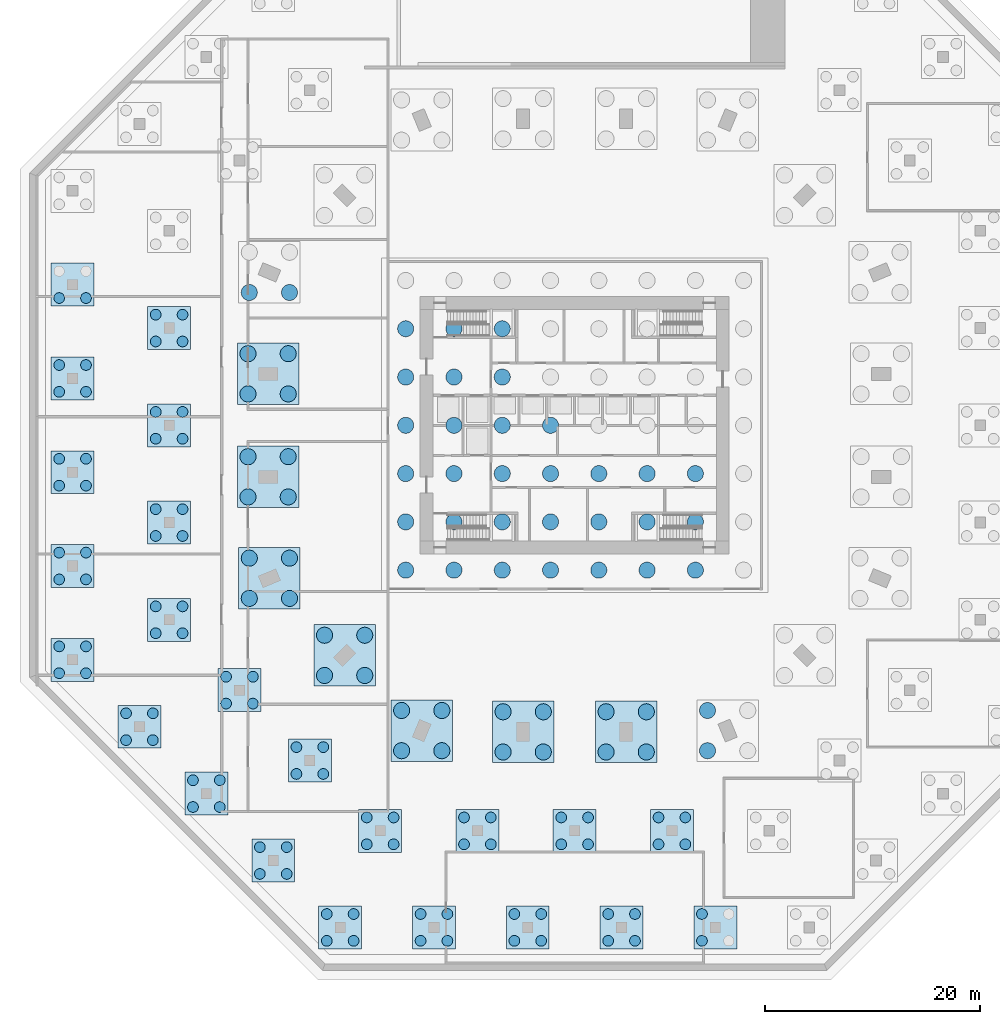
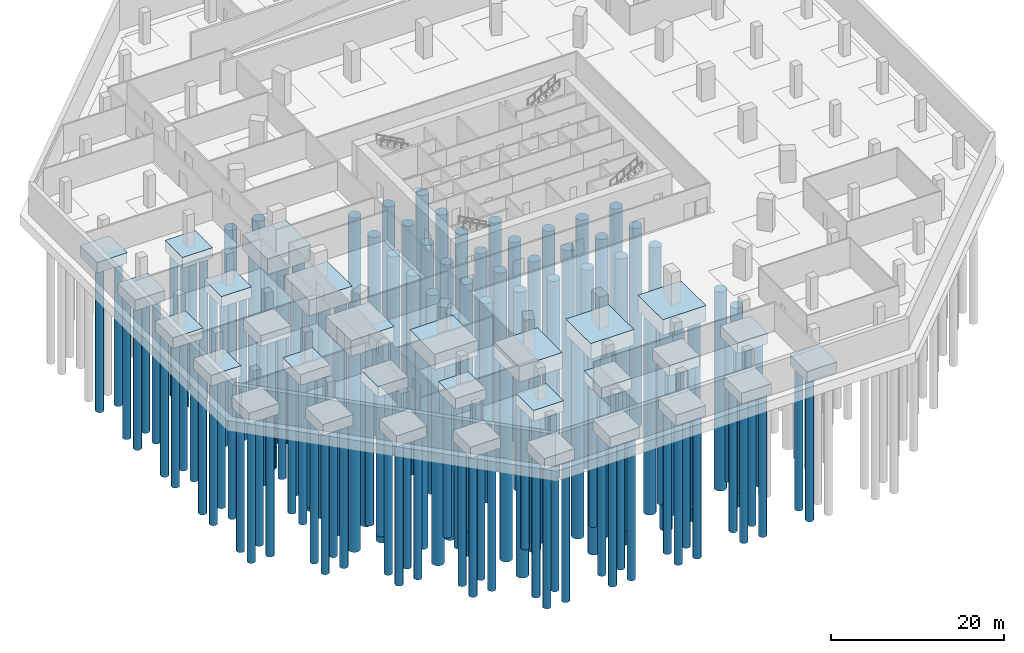
# One storey, part 1 of 14: 151 piles, 30 footings.
"""IFC4 building model written with IfcOpenShell, lengths in metres."""

from ifc_helpers import new_model, si_unit, direction, frame, origin, origin_2d, place, context, subcontext, project, spatial, polyline, circle, outline, extrude, material, layer, layer_set, type_object, element, save


model = new_model("IFC4")

# Units and contexts
model_context = context("Model", 3, precision=1e-05, world=origin(), true_north=direction((0.0, 1.0)))
body_context = subcontext(model_context, "Body", "Model", "MODEL_VIEW")
ifc_project = project(units=[si_unit("LENGTHUNIT", "METRE"), si_unit("AREAUNIT", "SQUARE_METRE"), si_unit("VOLUMEUNIT", "CUBIC_METRE"), si_unit("PLANEANGLEUNIT", "RADIAN"), si_unit("MASSUNIT", "GRAM", prefix="KILO")], contexts=[model_context])

# Site, building, storey
site_placement = place(None, origin())
site = spatial("IfcSite", under=ifc_project, at=site_placement, CompositionType="ELEMENT")
building_placement = place(site_placement, origin())
building = spatial("IfcBuilding", under=site, at=building_placement, Name="Msitu Wima Residences", CompositionType="ELEMENT")
storey_placement = place(building_placement, frame((0.0, 0.0, -9.0)))
storey = spatial("IfcBuildingStorey", under=building, at=storey_placement, Name="B2", CompositionType="ELEMENT", Elevation=-9.0)

# Piles
ifc_material = material(Name="Concrete C40/50", Category="concrete")
pile_type_1 = type_object("IfcPileType", Name="Bored pile PH1 D1500", PredefinedType="BORED", material=ifc_material)
for number, where, z_axis, x_axis, name in (
    (1, (-15.75, -13.5, -3.5), (0.0, 0.0, -1.0), (1.0, 0.0, 0.0), "Raft pile PH1-01"),
    (2, (-11.25, -13.5, -3.5), (0.0, 0.0, -1.0), (1.0, 0.0, 0.0), "Raft pile PH1-02"),
    (3, (-6.75, -13.5, -3.5), (0.0, 0.0, -1.0), (1.0, 0.0, 0.0), "Raft pile PH1-03"),
    (4, (-2.25, -13.5, -3.5), (0.0, 0.0, -1.0), (1.0, 0.0, 0.0), "Raft pile PH1-04"),
    (5, (2.25, -13.5, -3.5), (0.0, 0.0, -1.0), (1.0, 0.0, 0.0), "Raft pile PH1-05"),
    (6, (6.75, -13.5, -3.5), (0.0, 0.0, -1.0), (1.0, 0.0, 0.0), "Raft pile PH1-06"),
    (7, (11.25, -13.5, -3.5), (0.0, 0.0, -1.0), (1.0, 0.0, 0.0), "Raft pile PH1-07"),
    (8, (-15.75, -9.0, -3.5), (0.0, 0.0, -1.0), (1.0, 0.0, 0.0), "Raft pile PH1-09"),
    (9, (-11.25, -9.0, -3.5), (0.0, 0.0, -1.0), (1.0, 0.0, 0.0), "Raft pile PH1-10"),
    (10, (-6.75, -9.0, -3.5), (0.0, 0.0, -1.0), (1.0, 0.0, 0.0), "Raft pile PH1-11"),
    (11, (-2.25, -9.0, -3.5), (0.0, 0.0, -1.0), (1.0, 0.0, 0.0), "Raft pile PH1-12"),
    (12, (2.25, -9.0, -3.5), (0.0, 0.0, -1.0), (1.0, 0.0, 0.0), "Raft pile PH1-13"),
    (13, (6.75, -9.0, -3.5), (0.0, 0.0, -1.0), (1.0, 0.0, 0.0), "Raft pile PH1-14"),
    (14, (11.25, -9.0, -3.5), (0.0, 0.0, -1.0), (1.0, 0.0, 0.0), "Raft pile PH1-15"),
    (15, (-15.75, -4.5, -3.5), (0.0, 0.0, -1.0), (1.0, 0.0, 0.0), "Raft pile PH1-17"),
    (16, (-11.25, -4.5, -3.5), (0.0, 0.0, -1.0), (1.0, 0.0, 0.0), "Raft pile PH1-18"),
    (17, (-6.75, -4.5, -3.5), (0.0, 0.0, -1.0), (1.0, 0.0, 0.0), "Raft pile PH1-19"),
    (18, (-2.25, -4.5, -3.5), (0.0, 0.0, -1.0), (1.0, 0.0, 0.0), "Raft pile PH1-20"),
    (19, (2.25, -4.5, -3.5), (0.0, 0.0, -1.0), (1.0, 0.0, 0.0), "Raft pile PH1-21"),
    (20, (6.75, -4.5, -3.5), (0.0, 0.0, -1.0), (1.0, 0.0, 0.0), "Raft pile PH1-22"),
    (21, (11.25, -4.5, -3.5), (0.0, 0.0, -1.0), (1.0, 0.0, 0.0), "Raft pile PH1-23"),
    (22, (-15.75, 0.0, -3.5), (0.0, 0.0, -1.0), (1.0, 0.0, 0.0), "Raft pile PH1-25"),
    (23, (-11.25, 0.0, -3.5), (0.0, 0.0, -1.0), (1.0, 0.0, 0.0), "Raft pile PH1-26"),
    (24, (-6.75, 0.0, -3.5), (0.0, 0.0, -1.0), (1.0, 0.0, 0.0), "Raft pile PH1-27"),
    (25, (-2.25, 0.0, -3.5), (0.0, 0.0, -1.0), (1.0, 0.0, 0.0), "Raft pile PH1-28"),
    (26, (-15.75, 4.5, -3.5), (0.0, 0.0, -1.0), (1.0, 0.0, 0.0), "Raft pile PH1-33"),
    (27, (-11.25, 4.5, -3.5), (0.0, 0.0, -1.0), (1.0, 0.0, 0.0), "Raft pile PH1-34"),
    (28, (-6.75, 4.5, -3.5), (0.0, 0.0, -1.0), (1.0, 0.0, 0.0), "Raft pile PH1-35"),
    (29, (-15.75, 9.0, -3.5), (0.0, 0.0, -1.0), (1.0, 0.0, 0.0), "Raft pile PH1-41"),
    (30, (-11.25, 9.0, -3.5), (0.0, 0.0, -1.0), (1.0, 0.0, 0.0), "Raft pile PH1-42"),
    (31, (-6.75, 9.0, -3.5), (0.0, 0.0, -1.0), (1.0, 0.0, 0.0), "Raft pile PH1-43"),
    (32, (-6.675048828125, -30.449951171875, -2.199951171875), (0.0, 0.0, -1.0), (1.0, 0.0, 0.0), "Pile PH1-018-1"),
    (33, (-2.925048828125, -30.449951171875, -2.199951171875), (0.0, 0.0, -1.0), (1.0, 0.0, 0.0), "Pile PH1-018-2"),
    (34, (-2.925048828125, -26.699951171875, -2.199951171875), (0.0, 0.0, -1.0), (1.0, 0.0, 0.0), "Pile PH1-018-3"),
    (35, (-6.675048828125, -26.699951171875, -2.199951171875), (0.0, 0.0, -1.0), (1.0, 0.0, 0.0), "Pile PH1-018-4"),
    (36, (2.925048828125, -30.449951171875, -2.199951171875), (0.0, 0.0, -1.0), (1.0, 0.0, 0.0), "Pile PH1-019-1"),
    (37, (6.675048828125, -30.449951171875, -2.199951171875), (0.0, 0.0, -1.0), (1.0, 0.0, 0.0), "Pile PH1-019-2"),
    (38, (6.675048828125, -26.699951171875, -2.199951171875), (0.0, 0.0, -1.0), (1.0, 0.0, 0.0), "Pile PH1-019-3"),
    (39, (2.925048828125, -26.699951171875, -2.199951171875), (0.0, 0.0, -1.0), (1.0, 0.0, 0.0), "Pile PH1-019-4"),
    (40, (-16.1318359375, -30.3291015625, -2.199951171875), (0.0, 0.0, -1.0), (1.0, 0.0, 0.0), "Pile PH1-020-1"),
    (41, (-12.3818359375, -30.3291015625, -2.199951171875), (0.0, 0.0, -1.0), (1.0, 0.0, 0.0), "Pile PH1-020-2"),
    (42, (-12.3818359375, -26.5791015625, -2.199951171875), (0.0, 0.0, -1.0), (1.0, 0.0, 0.0), "Pile PH1-020-3"),
    (43, (-16.1318359375, -26.5791015625, -2.199951171875), (0.0, 0.0, -1.0), (1.0, 0.0, 0.0), "Pile PH1-020-4"),
    (44, (12.3818359375, -30.3291015625, -2.199951171875), (0.0, 0.0, -1.0), (1.0, 0.0, 0.0), "Pile PH1-021-1"),
    (45, (12.3818359375, -26.5791015625, -2.199951171875), (0.0, 0.0, -1.0), (1.0, 0.0, 0.0), "Pile PH1-021-4"),
    (46, (-23.31591796875, -23.31591796875, -2.199951171875), (0.0, 0.0, -1.0), (1.0, 0.0, 0.0), "Pile PH1-026-1"),
    (47, (-19.56591796875, -23.31591796875, -2.199951171875), (0.0, 0.0, -1.0), (1.0, 0.0, 0.0), "Pile PH1-026-2"),
    (48, (-19.56591796875, -19.56591796875, -2.199951171875), (0.0, 0.0, -1.0), (1.0, 0.0, 0.0), "Pile PH1-026-3"),
    (49, (-23.31591796875, -19.56591796875, -2.199951171875), (0.0, 0.0, -1.0), (1.0, 0.0, 0.0), "Pile PH1-026-4"),
    (50, (-30.3291015625, -16.1318359375, -2.199951171875), (0.0, 0.0, -1.0), (1.0, 0.0, 0.0), "Pile PH1-032-1"),
    (51, (-26.5791015625, -16.1318359375, -2.199951171875), (0.0, 0.0, -1.0), (1.0, 0.0, 0.0), "Pile PH1-032-2"),
    (52, (-26.5791015625, -12.3818359375, -2.199951171875), (0.0, 0.0, -1.0), (1.0, 0.0, 0.0), "Pile PH1-032-3"),
    (53, (-30.3291015625, -12.3818359375, -2.199951171875), (0.0, 0.0, -1.0), (1.0, 0.0, 0.0), "Pile PH1-032-4"),
    (54, (-30.449951171875, -6.675048828125, -2.199951171875), (0.0, 0.0, -1.0), (1.0, 0.0, 0.0), "Pile PH1-038-1"),
    (55, (-26.699951171875, -6.675048828125, -2.199951171875), (0.0, 0.0, -1.0), (1.0, 0.0, 0.0), "Pile PH1-038-2"),
    (56, (-26.699951171875, -2.925048828125, -2.199951171875), (0.0, 0.0, -1.0), (1.0, 0.0, 0.0), "Pile PH1-038-3"),
    (57, (-30.449951171875, -2.925048828125, -2.199951171875), (0.0, 0.0, -1.0), (1.0, 0.0, 0.0), "Pile PH1-038-4"),
    (58, (-30.449951171875, 2.925048828125, -2.199951171875), (0.0, 0.0, -1.0), (1.0, 0.0, 0.0), "Pile PH1-044-1"),
    (59, (-26.699951171875, 2.925048828125, -2.199951171875), (0.0, 0.0, -1.0), (1.0, 0.0, 0.0), "Pile PH1-044-2"),
    (60, (-26.699951171875, 6.675048828125, -2.199951171875), (0.0, 0.0, -1.0), (1.0, 0.0, 0.0), "Pile PH1-044-3"),
    (61, (-30.449951171875, 6.675048828125, -2.199951171875), (0.0, 0.0, -1.0), (1.0, 0.0, 0.0), "Pile PH1-044-4"),
    (62, (-30.3291015625, 12.3818359375, -2.199951171875), (0.0, 0.0, -1.0), (1.0, 0.0, 0.0), "Pile PH1-052-1"),
    (63, (-26.5791015625, 12.3818359375, -2.199951171875), (0.0, 0.0, -1.0), (1.0, 0.0, 0.0), "Pile PH1-052-2"),
):
    element("IfcPile", number, at=place(storey_placement, frame(where, z_axis=z_axis, x_axis=x_axis)), inside=storey, type_object=pile_type_1, Name=name, PredefinedType="BORED", context=body_context, shape_type="SweptSolid", body=[
        extrude(circle(Radius=0.75, at=origin_2d()), origin(), (0.0, 0.0, 1.0), 28.0),
    ])
pile_type_2 = type_object("IfcPileType", Name="Bored pile PL1 D1000", PredefinedType="BORED", material=ifc_material)
for number, where, z_axis, x_axis, name in (
    (64, (-23.10595703125, -48.050048828125, -1.5), (0.0, 0.0, -1.0), (1.0, 0.0, 0.0), "Pile PLP1-001-1"),
    (65, (-20.60595703125, -48.050048828125, -1.5), (0.0, 0.0, -1.0), (1.0, 0.0, 0.0), "Pile PLP1-001-2"),
    (66, (-20.60595703125, -45.550048828125, -1.5), (0.0, 0.0, -1.0), (1.0, 0.0, 0.0), "Pile PLP1-001-3"),
    (67, (-23.10595703125, -45.550048828125, -1.5), (0.0, 0.0, -1.0), (1.0, 0.0, 0.0), "Pile PLP1-001-4"),
    (68, (-14.363525390625, -48.050048828125, -1.5), (0.0, 0.0, -1.0), (1.0, 0.0, 0.0), "Pile PLP1-002-1"),
    (69, (-11.863525390625, -48.050048828125, -1.5), (0.0, 0.0, -1.0), (1.0, 0.0, 0.0), "Pile PLP1-002-2"),
    (70, (-11.863525390625, -45.550048828125, -1.5), (0.0, 0.0, -1.0), (1.0, 0.0, 0.0), "Pile PLP1-002-3"),
    (71, (-14.363525390625, -45.550048828125, -1.5), (0.0, 0.0, -1.0), (1.0, 0.0, 0.0), "Pile PLP1-002-4"),
    (72, (-5.62109375, -48.050048828125, -1.5), (0.0, 0.0, -1.0), (1.0, 0.0, 0.0), "Pile PLP1-003-1"),
    (73, (-3.12109375, -48.050048828125, -1.5), (0.0, 0.0, -1.0), (1.0, 0.0, 0.0), "Pile PLP1-003-2"),
    (74, (-3.12109375, -45.550048828125, -1.5), (0.0, 0.0, -1.0), (1.0, 0.0, 0.0), "Pile PLP1-003-3"),
    (75, (-5.62109375, -45.550048828125, -1.5), (0.0, 0.0, -1.0), (1.0, 0.0, 0.0), "Pile PLP1-003-4"),
    (76, (3.12109375, -48.050048828125, -1.5), (0.0, 0.0, -1.0), (1.0, 0.0, 0.0), "Pile PLP1-004-1"),
    (77, (5.62109375, -48.050048828125, -1.5), (0.0, 0.0, -1.0), (1.0, 0.0, 0.0), "Pile PLP1-004-2"),
    (78, (5.62109375, -45.550048828125, -1.5), (0.0, 0.0, -1.0), (1.0, 0.0, 0.0), "Pile PLP1-004-3"),
    (79, (3.12109375, -45.550048828125, -1.5), (0.0, 0.0, -1.0), (1.0, 0.0, 0.0), "Pile PLP1-004-4"),
    (80, (11.863525390625, -48.050048828125, -1.5), (0.0, 0.0, -1.0), (1.0, 0.0, 0.0), "Pile PLP1-005-1"),
    (81, (11.863525390625, -45.550048828125, -1.5), (0.0, 0.0, -1.0), (1.0, 0.0, 0.0), "Pile PLP1-005-4"),
    (82, (-29.341796875, -41.81396484375, -1.5), (0.0, 0.0, -1.0), (1.0, 0.0, 0.0), "Pile PLP1-007-1"),
    (83, (-26.841796875, -41.81396484375, -1.5), (0.0, 0.0, -1.0), (1.0, 0.0, 0.0), "Pile PLP1-007-2"),
    (84, (-26.841796875, -39.31396484375, -1.5), (0.0, 0.0, -1.0), (1.0, 0.0, 0.0), "Pile PLP1-007-3"),
    (85, (-29.341796875, -39.31396484375, -1.5), (0.0, 0.0, -1.0), (1.0, 0.0, 0.0), "Pile PLP1-007-4"),
    (86, (-19.3779296875, -39.050048828125, -1.5), (0.0, 0.0, -1.0), (1.0, 0.0, 0.0), "Pile PLP1-009-1"),
    (87, (-16.8779296875, -39.050048828125, -1.5), (0.0, 0.0, -1.0), (1.0, 0.0, 0.0), "Pile PLP1-009-2"),
    (88, (-16.8779296875, -36.550048828125, -1.5), (0.0, 0.0, -1.0), (1.0, 0.0, 0.0), "Pile PLP1-009-3"),
    (89, (-19.3779296875, -36.550048828125, -1.5), (0.0, 0.0, -1.0), (1.0, 0.0, 0.0), "Pile PLP1-009-4"),
    (90, (-10.31396484375, -39.050048828125, -1.5), (0.0, 0.0, -1.0), (1.0, 0.0, 0.0), "Pile PLP1-010-1"),
    (91, (-7.81396484375, -39.050048828125, -1.5), (0.0, 0.0, -1.0), (1.0, 0.0, 0.0), "Pile PLP1-010-2"),
    (92, (-7.81396484375, -36.550048828125, -1.5), (0.0, 0.0, -1.0), (1.0, 0.0, 0.0), "Pile PLP1-010-3"),
    (93, (-10.31396484375, -36.550048828125, -1.5), (0.0, 0.0, -1.0), (1.0, 0.0, 0.0), "Pile PLP1-010-4"),
    (94, (-1.25, -39.050048828125, -1.5), (0.0, 0.0, -1.0), (1.0, 0.0, 0.0), "Pile PLP1-011-1"),
    (95, (1.25, -39.050048828125, -1.5), (0.0, 0.0, -1.0), (1.0, 0.0, 0.0), "Pile PLP1-011-2"),
    (96, (1.25, -36.550048828125, -1.5), (0.0, 0.0, -1.0), (1.0, 0.0, 0.0), "Pile PLP1-011-3"),
    (97, (-1.25, -36.550048828125, -1.5), (0.0, 0.0, -1.0), (1.0, 0.0, 0.0), "Pile PLP1-011-4"),
    (98, (7.81396484375, -39.050048828125, -1.5), (0.0, 0.0, -1.0), (1.0, 0.0, 0.0), "Pile PLP1-012-1"),
    (99, (10.31396484375, -39.050048828125, -1.5), (0.0, 0.0, -1.0), (1.0, 0.0, 0.0), "Pile PLP1-012-2"),
    (100, (10.31396484375, -36.550048828125, -1.5), (0.0, 0.0, -1.0), (1.0, 0.0, 0.0), "Pile PLP1-012-3"),
    (101, (7.81396484375, -36.550048828125, -1.5), (0.0, 0.0, -1.0), (1.0, 0.0, 0.0), "Pile PLP1-012-4"),
    (102, (-35.577880859375, -35.577880859375, -1.5), (0.0, 0.0, -1.0), (1.0, 0.0, 0.0), "Pile PLP1-014-1"),
    (103, (-33.077880859375, -35.577880859375, -1.5), (0.0, 0.0, -1.0), (1.0, 0.0, 0.0), "Pile PLP1-014-2"),
    (104, (-33.077880859375, -33.077880859375, -1.5), (0.0, 0.0, -1.0), (1.0, 0.0, 0.0), "Pile PLP1-014-3"),
    (105, (-35.577880859375, -33.077880859375, -1.5), (0.0, 0.0, -1.0), (1.0, 0.0, 0.0), "Pile PLP1-014-4"),
    (106, (-25.935302734375, -32.49267578125, -1.5), (0.0, 0.0, -1.0), (1.0, 0.0, 0.0), "Pile PLP1-016-1"),
    (107, (-23.435302734375, -32.49267578125, -1.5), (0.0, 0.0, -1.0), (1.0, 0.0, 0.0), "Pile PLP1-016-2"),
    (108, (-23.435302734375, -29.99267578125, -1.5), (0.0, 0.0, -1.0), (1.0, 0.0, 0.0), "Pile PLP1-016-3"),
    (109, (-25.935302734375, -29.99267578125, -1.5), (0.0, 0.0, -1.0), (1.0, 0.0, 0.0), "Pile PLP1-016-4"),
    (110, (-41.81396484375, -29.341796875, -1.5), (0.0, 0.0, -1.0), (1.0, 0.0, 0.0), "Pile PLP1-022-1"),
    (111, (-39.31396484375, -29.341796875, -1.5), (0.0, 0.0, -1.0), (1.0, 0.0, 0.0), "Pile PLP1-022-2"),
    (112, (-39.31396484375, -26.841796875, -1.5), (0.0, 0.0, -1.0), (1.0, 0.0, 0.0), "Pile PLP1-022-3"),
    (113, (-41.81396484375, -26.841796875, -1.5), (0.0, 0.0, -1.0), (1.0, 0.0, 0.0), "Pile PLP1-022-4"),
    (114, (-32.49267578125, -25.935302734375, -1.5), (0.0, 0.0, -1.0), (1.0, 0.0, 0.0), "Pile PLP1-024-1"),
    (115, (-29.99267578125, -25.935302734375, -1.5), (0.0, 0.0, -1.0), (1.0, 0.0, 0.0), "Pile PLP1-024-2"),
    (116, (-29.99267578125, -23.435302734375, -1.5), (0.0, 0.0, -1.0), (1.0, 0.0, 0.0), "Pile PLP1-024-3"),
    (117, (-32.49267578125, -23.435302734375, -1.5), (0.0, 0.0, -1.0), (1.0, 0.0, 0.0), "Pile PLP1-024-4"),
    (118, (-48.050048828125, -23.10595703125, -1.5), (0.0, 0.0, -1.0), (1.0, 0.0, 0.0), "Pile PLP1-028-1"),
    (119, (-45.550048828125, -23.10595703125, -1.5), (0.0, 0.0, -1.0), (1.0, 0.0, 0.0), "Pile PLP1-028-2"),
    (120, (-45.550048828125, -20.60595703125, -1.5), (0.0, 0.0, -1.0), (1.0, 0.0, 0.0), "Pile PLP1-028-3"),
    (121, (-48.050048828125, -20.60595703125, -1.5), (0.0, 0.0, -1.0), (1.0, 0.0, 0.0), "Pile PLP1-028-4"),
    (122, (-39.050048828125, -19.3779296875, -1.5), (0.0, 0.0, -1.0), (1.0, 0.0, 0.0), "Pile PLP1-030-1"),
    (123, (-36.550048828125, -19.3779296875, -1.5), (0.0, 0.0, -1.0), (1.0, 0.0, 0.0), "Pile PLP1-030-2"),
    (124, (-36.550048828125, -16.8779296875, -1.5), (0.0, 0.0, -1.0), (1.0, 0.0, 0.0), "Pile PLP1-030-3"),
    (125, (-39.050048828125, -16.8779296875, -1.5), (0.0, 0.0, -1.0), (1.0, 0.0, 0.0), "Pile PLP1-030-4"),
    (126, (-48.050048828125, -14.363525390625, -1.5), (0.0, 0.0, -1.0), (1.0, 0.0, 0.0), "Pile PLP1-034-1"),
    (127, (-45.550048828125, -14.363525390625, -1.5), (0.0, 0.0, -1.0), (1.0, 0.0, 0.0), "Pile PLP1-034-2"),
    (128, (-45.550048828125, -11.863525390625, -1.5), (0.0, 0.0, -1.0), (1.0, 0.0, 0.0), "Pile PLP1-034-3"),
    (129, (-48.050048828125, -11.863525390625, -1.5), (0.0, 0.0, -1.0), (1.0, 0.0, 0.0), "Pile PLP1-034-4"),
    (130, (-39.050048828125, -10.31396484375, -1.5), (0.0, 0.0, -1.0), (1.0, 0.0, 0.0), "Pile PLP1-036-1"),
    (131, (-36.550048828125, -10.31396484375, -1.5), (0.0, 0.0, -1.0), (1.0, 0.0, 0.0), "Pile PLP1-036-2"),
    (132, (-36.550048828125, -7.81396484375, -1.5), (0.0, 0.0, -1.0), (1.0, 0.0, 0.0), "Pile PLP1-036-3"),
    (133, (-39.050048828125, -7.81396484375, -1.5), (0.0, 0.0, -1.0), (1.0, 0.0, 0.0), "Pile PLP1-036-4"),
    (134, (-48.050048828125, -5.62109375, -1.5), (0.0, 0.0, -1.0), (1.0, 0.0, 0.0), "Pile PLP1-040-1"),
    (135, (-45.550048828125, -5.62109375, -1.5), (0.0, 0.0, -1.0), (1.0, 0.0, 0.0), "Pile PLP1-040-2"),
    (136, (-45.550048828125, -3.12109375, -1.5), (0.0, 0.0, -1.0), (1.0, 0.0, 0.0), "Pile PLP1-040-3"),
    (137, (-48.050048828125, -3.12109375, -1.5), (0.0, 0.0, -1.0), (1.0, 0.0, 0.0), "Pile PLP1-040-4"),
    (138, (-39.050048828125, -1.25, -1.5), (0.0, 0.0, -1.0), (1.0, 0.0, 0.0), "Pile PLP1-042-1"),
    (139, (-36.550048828125, -1.25, -1.5), (0.0, 0.0, -1.0), (1.0, 0.0, 0.0), "Pile PLP1-042-2"),
    (140, (-36.550048828125, 1.25, -1.5), (0.0, 0.0, -1.0), (1.0, 0.0, 0.0), "Pile PLP1-042-3"),
    (141, (-39.050048828125, 1.25, -1.5), (0.0, 0.0, -1.0), (1.0, 0.0, 0.0), "Pile PLP1-042-4"),
    (142, (-48.050048828125, 3.12109375, -1.5), (0.0, 0.0, -1.0), (1.0, 0.0, 0.0), "Pile PLP1-046-1"),
    (143, (-45.550048828125, 3.12109375, -1.5), (0.0, 0.0, -1.0), (1.0, 0.0, 0.0), "Pile PLP1-046-2"),
    (144, (-45.550048828125, 5.62109375, -1.5), (0.0, 0.0, -1.0), (1.0, 0.0, 0.0), "Pile PLP1-046-3"),
    (145, (-48.050048828125, 5.62109375, -1.5), (0.0, 0.0, -1.0), (1.0, 0.0, 0.0), "Pile PLP1-046-4"),
    (146, (-39.050048828125, 7.81396484375, -1.5), (0.0, 0.0, -1.0), (1.0, 0.0, 0.0), "Pile PLP1-048-1"),
    (147, (-36.550048828125, 7.81396484375, -1.5), (0.0, 0.0, -1.0), (1.0, 0.0, 0.0), "Pile PLP1-048-2"),
    (148, (-36.550048828125, 10.31396484375, -1.5), (0.0, 0.0, -1.0), (1.0, 0.0, 0.0), "Pile PLP1-048-3"),
    (149, (-39.050048828125, 10.31396484375, -1.5), (0.0, 0.0, -1.0), (1.0, 0.0, 0.0), "Pile PLP1-048-4"),
    (150, (-48.050048828125, 11.863525390625, -1.5), (0.0, 0.0, -1.0), (1.0, 0.0, 0.0), "Pile PLP1-050-1"),
    (151, (-45.550048828125, 11.863525390625, -1.5), (0.0, 0.0, -1.0), (1.0, 0.0, 0.0), "Pile PLP1-050-2"),
):
    element("IfcPile", number, at=place(storey_placement, frame(where, z_axis=z_axis, x_axis=x_axis)), inside=storey, type_object=pile_type_2, Name=name, PredefinedType="BORED", context=body_context, shape_type="SweptSolid", body=[
        extrude(circle(Radius=0.5, at=origin_2d()), origin(), (0.0, 0.0, 1.0), 20.0),
    ])

# Footings
ifc_layer_1 = layer(ifc_material, 2.199951171875)
ifc_layer_set_1 = layer_set([ifc_layer_1], Name="Concrete C40/50")
footing_type_1 = type_object("IfcFootingType", Name="Pile cap PC1 heavy", PredefinedType="PILE_CAP", material=ifc_layer_set_1)
footing_1_placement = place(storey_placement, frame((0.0, 0.0, -2.199951171875)))
element("IfcFooting", 152, at=footing_1_placement, inside=storey, type_object=footing_type_1, Name="Pile cap CAP1-018", PredefinedType="PILE_CAP", context=body_context, shape_type="SweptSolid", body=[
    extrude(outline(polyline([(-1.925048828125, -31.449951171875), (-1.925048828125, -25.699951171875), (-7.675048828125, -25.699951171875), (-7.675048828125, -31.449951171875), (-1.925048828125, -31.449951171875)])), origin(), (0.0, 0.0, 1.0), 2.199951171875),
])
footing_2_placement = place(storey_placement, frame((0.0, 0.0, -2.199951171875)))
element("IfcFooting", 153, at=footing_2_placement, inside=storey, type_object=footing_type_1, Name="Pile cap CAP1-019", PredefinedType="PILE_CAP", context=body_context, shape_type="SweptSolid", body=[
    extrude(outline(polyline([(7.675048828125, -31.449951171875), (7.675048828125, -25.699951171875), (1.925048828125, -25.699951171875), (1.925048828125, -31.449951171875), (7.675048828125, -31.449951171875)])), origin(), (0.0, 0.0, 1.0), 2.199951171875),
])
footing_3_placement = place(storey_placement, frame((0.0, 0.0, -2.199951171875)))
element("IfcFooting", 154, at=footing_3_placement, inside=storey, type_object=footing_type_1, Name="Pile cap CAP1-020", PredefinedType="PILE_CAP", context=body_context, shape_type="SweptSolid", body=[
    extrude(outline(polyline([(-11.3818359375, -31.3291015625), (-11.3818359375, -25.5791015625), (-17.1318359375, -25.5791015625), (-17.1318359375, -31.3291015625), (-11.3818359375, -31.3291015625)])), origin(), (0.0, 0.0, 1.0), 2.199951171875),
])
footing_4_placement = place(storey_placement, frame((0.0, 0.0, -2.199951171875)))
element("IfcFooting", 155, at=footing_4_placement, inside=storey, type_object=footing_type_1, Name="Pile cap CAP1-026", PredefinedType="PILE_CAP", context=body_context, shape_type="SweptSolid", body=[
    extrude(outline(polyline([(-18.56591796875, -24.31591796875), (-18.56591796875, -18.56591796875), (-24.31591796875, -18.56591796875), (-24.31591796875, -24.31591796875), (-18.56591796875, -24.31591796875)])), origin(), (0.0, 0.0, 1.0), 2.199951171875),
])
footing_5_placement = place(storey_placement, frame((0.0, 0.0, -2.199951171875)))
element("IfcFooting", 156, at=footing_5_placement, inside=storey, type_object=footing_type_1, Name="Pile cap CAP1-032", PredefinedType="PILE_CAP", context=body_context, shape_type="SweptSolid", body=[
    extrude(outline(polyline([(-25.5791015625, -17.1318359375), (-25.5791015625, -11.3818359375), (-31.3291015625, -11.3818359375), (-31.3291015625, -17.1318359375), (-25.5791015625, -17.1318359375)])), origin(), (0.0, 0.0, 1.0), 2.199951171875),
])
footing_6_placement = place(storey_placement, frame((0.0, 0.0, -2.199951171875)))
element("IfcFooting", 157, at=footing_6_placement, inside=storey, type_object=footing_type_1, Name="Pile cap CAP1-038", PredefinedType="PILE_CAP", context=body_context, shape_type="SweptSolid", body=[
    extrude(outline(polyline([(-25.699951171875, -7.675048828125), (-25.699951171875, -1.925048828125), (-31.449951171875, -1.925048828125), (-31.449951171875, -7.675048828125), (-25.699951171875, -7.675048828125)])), origin(), (0.0, 0.0, 1.0), 2.199951171875),
])
footing_7_placement = place(storey_placement, frame((0.0, 0.0, -2.199951171875)))
element("IfcFooting", 158, at=footing_7_placement, inside=storey, type_object=footing_type_1, Name="Pile cap CAP1-044", PredefinedType="PILE_CAP", context=body_context, shape_type="SweptSolid", body=[
    extrude(outline(polyline([(-25.699951171875, 1.925048828125), (-25.699951171875, 7.675048828125), (-31.449951171875, 7.675048828125), (-31.449951171875, 1.925048828125), (-25.699951171875, 1.925048828125)])), origin(), (0.0, 0.0, 1.0), 2.199951171875),
])
ifc_layer_2 = layer(ifc_material, 1.5)
ifc_layer_set_2 = layer_set([ifc_layer_2], Name="Concrete C40/50")
footing_type_2 = type_object("IfcFootingType", Name="Pile cap PC2 light", PredefinedType="PILE_CAP", material=ifc_layer_set_2)
footing_8_placement = place(storey_placement, frame((0.0, 0.0, -1.5)))
element("IfcFooting", 159, at=footing_8_placement, inside=storey, type_object=footing_type_2, Name="Pile cap CAP2-001", PredefinedType="PILE_CAP", context=body_context, shape_type="SweptSolid", body=[
    extrude(outline(polyline([(-19.85595703125, -48.800048828125), (-19.85595703125, -44.800048828125), (-23.85595703125, -44.800048828125), (-23.85595703125, -48.800048828125), (-19.85595703125, -48.800048828125)])), origin(), (0.0, 0.0, 1.0), 1.5),
])
footing_9_placement = place(storey_placement, frame((0.0, 0.0, -1.5)))
element("IfcFooting", 160, at=footing_9_placement, inside=storey, type_object=footing_type_2, Name="Pile cap CAP2-002", PredefinedType="PILE_CAP", context=body_context, shape_type="SweptSolid", body=[
    extrude(outline(polyline([(-11.113525390625, -48.800048828125), (-11.113525390625, -44.800048828125), (-15.113525390625, -44.800048828125), (-15.113525390625, -48.800048828125), (-11.113525390625, -48.800048828125)])), origin(), (0.0, 0.0, 1.0), 1.5),
])
footing_10_placement = place(storey_placement, frame((0.0, 0.0, -1.5)))
element("IfcFooting", 161, at=footing_10_placement, inside=storey, type_object=footing_type_2, Name="Pile cap CAP2-003", PredefinedType="PILE_CAP", context=body_context, shape_type="SweptSolid", body=[
    extrude(outline(polyline([(-2.37109375, -48.800048828125), (-2.37109375, -44.800048828125), (-6.37109375, -44.800048828125), (-6.37109375, -48.800048828125), (-2.37109375, -48.800048828125)])), origin(), (0.0, 0.0, 1.0), 1.5),
])
footing_11_placement = place(storey_placement, frame((0.0, 0.0, -1.5)))
element("IfcFooting", 162, at=footing_11_placement, inside=storey, type_object=footing_type_2, Name="Pile cap CAP2-004", PredefinedType="PILE_CAP", context=body_context, shape_type="SweptSolid", body=[
    extrude(outline(polyline([(6.37109375, -48.800048828125), (6.37109375, -44.800048828125), (2.37109375, -44.800048828125), (2.37109375, -48.800048828125), (6.37109375, -48.800048828125)])), origin(), (0.0, 0.0, 1.0), 1.5),
])
footing_12_placement = place(storey_placement, frame((0.0, 0.0, -1.5)))
element("IfcFooting", 163, at=footing_12_placement, inside=storey, type_object=footing_type_2, Name="Pile cap CAP2-005", PredefinedType="PILE_CAP", context=body_context, shape_type="SweptSolid", body=[
    extrude(outline(polyline([(15.113525390625, -48.800048828125), (15.113525390625, -44.800048828125), (11.113525390625, -44.800048828125), (11.113525390625, -48.800048828125), (15.113525390625, -48.800048828125)])), origin(), (0.0, 0.0, 1.0), 1.5),
])
footing_13_placement = place(storey_placement, frame((0.0, 0.0, -1.5)))
element("IfcFooting", 164, at=footing_13_placement, inside=storey, type_object=footing_type_2, Name="Pile cap CAP2-007", PredefinedType="PILE_CAP", context=body_context, shape_type="SweptSolid", body=[
    extrude(outline(polyline([(-26.091796875, -42.56396484375), (-26.091796875, -38.56396484375), (-30.091796875, -38.56396484375), (-30.091796875, -42.56396484375), (-26.091796875, -42.56396484375)])), origin(), (0.0, 0.0, 1.0), 1.5),
])
footing_14_placement = place(storey_placement, frame((0.0, 0.0, -1.5)))
element("IfcFooting", 165, at=footing_14_placement, inside=storey, type_object=footing_type_2, Name="Pile cap CAP2-009", PredefinedType="PILE_CAP", context=body_context, shape_type="SweptSolid", body=[
    extrude(outline(polyline([(-16.1279296875, -39.800048828125), (-16.1279296875, -35.800048828125), (-20.1279296875, -35.800048828125), (-20.1279296875, -39.800048828125), (-16.1279296875, -39.800048828125)])), origin(), (0.0, 0.0, 1.0), 1.5),
])
footing_15_placement = place(storey_placement, frame((0.0, 0.0, -1.5)))
element("IfcFooting", 166, at=footing_15_placement, inside=storey, type_object=footing_type_2, Name="Pile cap CAP2-010", PredefinedType="PILE_CAP", context=body_context, shape_type="SweptSolid", body=[
    extrude(outline(polyline([(-7.06396484375, -39.800048828125), (-7.06396484375, -35.800048828125), (-11.06396484375, -35.800048828125), (-11.06396484375, -39.800048828125), (-7.06396484375, -39.800048828125)])), origin(), (0.0, 0.0, 1.0), 1.5),
])
footing_16_placement = place(storey_placement, frame((0.0, 0.0, -1.5)))
element("IfcFooting", 167, at=footing_16_placement, inside=storey, type_object=footing_type_2, Name="Pile cap CAP2-011", PredefinedType="PILE_CAP", context=body_context, shape_type="SweptSolid", body=[
    extrude(outline(polyline([(2.0, -39.800048828125), (2.0, -35.800048828125), (-2.0, -35.800048828125), (-2.0, -39.800048828125), (2.0, -39.800048828125)])), origin(), (0.0, 0.0, 1.0), 1.5),
])
footing_17_placement = place(storey_placement, frame((0.0, 0.0, -1.5)))
element("IfcFooting", 168, at=footing_17_placement, inside=storey, type_object=footing_type_2, Name="Pile cap CAP2-012", PredefinedType="PILE_CAP", context=body_context, shape_type="SweptSolid", body=[
    extrude(outline(polyline([(11.06396484375, -39.800048828125), (11.06396484375, -35.800048828125), (7.06396484375, -35.800048828125), (7.06396484375, -39.800048828125), (11.06396484375, -39.800048828125)])), origin(), (0.0, 0.0, 1.0), 1.5),
])
footing_18_placement = place(storey_placement, frame((0.0, 0.0, -1.5)))
element("IfcFooting", 169, at=footing_18_placement, inside=storey, type_object=footing_type_2, Name="Pile cap CAP2-014", PredefinedType="PILE_CAP", context=body_context, shape_type="SweptSolid", body=[
    extrude(outline(polyline([(-32.327880859375, -36.327880859375), (-32.327880859375, -32.327880859375), (-36.327880859375, -32.327880859375), (-36.327880859375, -36.327880859375), (-32.327880859375, -36.327880859375)])), origin(), (0.0, 0.0, 1.0), 1.5),
])
footing_19_placement = place(storey_placement, frame((0.0, 0.0, -1.5)))
element("IfcFooting", 170, at=footing_19_placement, inside=storey, type_object=footing_type_2, Name="Pile cap CAP2-016", PredefinedType="PILE_CAP", context=body_context, shape_type="SweptSolid", body=[
    extrude(outline(polyline([(-22.685302734375, -33.24267578125), (-22.685302734375, -29.24267578125), (-26.685302734375, -29.24267578125), (-26.685302734375, -33.24267578125), (-22.685302734375, -33.24267578125)])), origin(), (0.0, 0.0, 1.0), 1.5),
])
footing_20_placement = place(storey_placement, frame((0.0, 0.0, -1.5)))
element("IfcFooting", 171, at=footing_20_placement, inside=storey, type_object=footing_type_2, Name="Pile cap CAP2-022", PredefinedType="PILE_CAP", context=body_context, shape_type="SweptSolid", body=[
    extrude(outline(polyline([(-38.56396484375, -30.091796875), (-38.56396484375, -26.091796875), (-42.56396484375, -26.091796875), (-42.56396484375, -30.091796875), (-38.56396484375, -30.091796875)])), origin(), (0.0, 0.0, 1.0), 1.5),
])
footing_21_placement = place(storey_placement, frame((0.0, 0.0, -1.5)))
element("IfcFooting", 172, at=footing_21_placement, inside=storey, type_object=footing_type_2, Name="Pile cap CAP2-024", PredefinedType="PILE_CAP", context=body_context, shape_type="SweptSolid", body=[
    extrude(outline(polyline([(-29.24267578125, -26.685302734375), (-29.24267578125, -22.685302734375), (-33.24267578125, -22.685302734375), (-33.24267578125, -26.685302734375), (-29.24267578125, -26.685302734375)])), origin(), (0.0, 0.0, 1.0), 1.5),
])
footing_22_placement = place(storey_placement, frame((0.0, 0.0, -1.5)))
element("IfcFooting", 173, at=footing_22_placement, inside=storey, type_object=footing_type_2, Name="Pile cap CAP2-028", PredefinedType="PILE_CAP", context=body_context, shape_type="SweptSolid", body=[
    extrude(outline(polyline([(-44.800048828125, -23.85595703125), (-44.800048828125, -19.85595703125), (-48.800048828125, -19.85595703125), (-48.800048828125, -23.85595703125), (-44.800048828125, -23.85595703125)])), origin(), (0.0, 0.0, 1.0), 1.5),
])
footing_23_placement = place(storey_placement, frame((0.0, 0.0, -1.5)))
element("IfcFooting", 174, at=footing_23_placement, inside=storey, type_object=footing_type_2, Name="Pile cap CAP2-030", PredefinedType="PILE_CAP", context=body_context, shape_type="SweptSolid", body=[
    extrude(outline(polyline([(-35.800048828125, -20.1279296875), (-35.800048828125, -16.1279296875), (-39.800048828125, -16.1279296875), (-39.800048828125, -20.1279296875), (-35.800048828125, -20.1279296875)])), origin(), (0.0, 0.0, 1.0), 1.5),
])
footing_24_placement = place(storey_placement, frame((0.0, 0.0, -1.5)))
element("IfcFooting", 175, at=footing_24_placement, inside=storey, type_object=footing_type_2, Name="Pile cap CAP2-034", PredefinedType="PILE_CAP", context=body_context, shape_type="SweptSolid", body=[
    extrude(outline(polyline([(-44.800048828125, -15.113525390625), (-44.800048828125, -11.113525390625), (-48.800048828125, -11.113525390625), (-48.800048828125, -15.113525390625), (-44.800048828125, -15.113525390625)])), origin(), (0.0, 0.0, 1.0), 1.5),
])
footing_25_placement = place(storey_placement, frame((0.0, 0.0, -1.5)))
element("IfcFooting", 176, at=footing_25_placement, inside=storey, type_object=footing_type_2, Name="Pile cap CAP2-036", PredefinedType="PILE_CAP", context=body_context, shape_type="SweptSolid", body=[
    extrude(outline(polyline([(-35.800048828125, -11.06396484375), (-35.800048828125, -7.06396484375), (-39.800048828125, -7.06396484375), (-39.800048828125, -11.06396484375), (-35.800048828125, -11.06396484375)])), origin(), (0.0, 0.0, 1.0), 1.5),
])
footing_26_placement = place(storey_placement, frame((0.0, 0.0, -1.5)))
element("IfcFooting", 177, at=footing_26_placement, inside=storey, type_object=footing_type_2, Name="Pile cap CAP2-040", PredefinedType="PILE_CAP", context=body_context, shape_type="SweptSolid", body=[
    extrude(outline(polyline([(-44.800048828125, -6.37109375), (-44.800048828125, -2.37109375), (-48.800048828125, -2.37109375), (-48.800048828125, -6.37109375), (-44.800048828125, -6.37109375)])), origin(), (0.0, 0.0, 1.0), 1.5),
])
footing_27_placement = place(storey_placement, frame((0.0, 0.0, -1.5)))
element("IfcFooting", 178, at=footing_27_placement, inside=storey, type_object=footing_type_2, Name="Pile cap CAP2-042", PredefinedType="PILE_CAP", context=body_context, shape_type="SweptSolid", body=[
    extrude(outline(polyline([(-35.800048828125, -2.0), (-35.800048828125, 2.0), (-39.800048828125, 2.0), (-39.800048828125, -2.0), (-35.800048828125, -2.0)])), origin(), (0.0, 0.0, 1.0), 1.5),
])
footing_28_placement = place(storey_placement, frame((0.0, 0.0, -1.5)))
element("IfcFooting", 179, at=footing_28_placement, inside=storey, type_object=footing_type_2, Name="Pile cap CAP2-046", PredefinedType="PILE_CAP", context=body_context, shape_type="SweptSolid", body=[
    extrude(outline(polyline([(-44.800048828125, 2.37109375), (-44.800048828125, 6.37109375), (-48.800048828125, 6.37109375), (-48.800048828125, 2.37109375), (-44.800048828125, 2.37109375)])), origin(), (0.0, 0.0, 1.0), 1.5),
])
footing_29_placement = place(storey_placement, frame((0.0, 0.0, -1.5)))
element("IfcFooting", 180, at=footing_29_placement, inside=storey, type_object=footing_type_2, Name="Pile cap CAP2-048", PredefinedType="PILE_CAP", context=body_context, shape_type="SweptSolid", body=[
    extrude(outline(polyline([(-35.800048828125, 7.06396484375), (-35.800048828125, 11.06396484375), (-39.800048828125, 11.06396484375), (-39.800048828125, 7.06396484375), (-35.800048828125, 7.06396484375)])), origin(), (0.0, 0.0, 1.0), 1.5),
])
footing_30_placement = place(storey_placement, frame((0.0, 0.0, -1.5)))
element("IfcFooting", 181, at=footing_30_placement, inside=storey, type_object=footing_type_2, Name="Pile cap CAP2-050", PredefinedType="PILE_CAP", context=body_context, shape_type="SweptSolid", body=[
    extrude(outline(polyline([(-44.800048828125, 11.113525390625), (-44.800048828125, 15.113525390625), (-48.800048828125, 15.113525390625), (-48.800048828125, 11.113525390625), (-44.800048828125, 11.113525390625)])), origin(), (0.0, 0.0, 1.0), 1.5),
])

save(model, "model.ifc")
